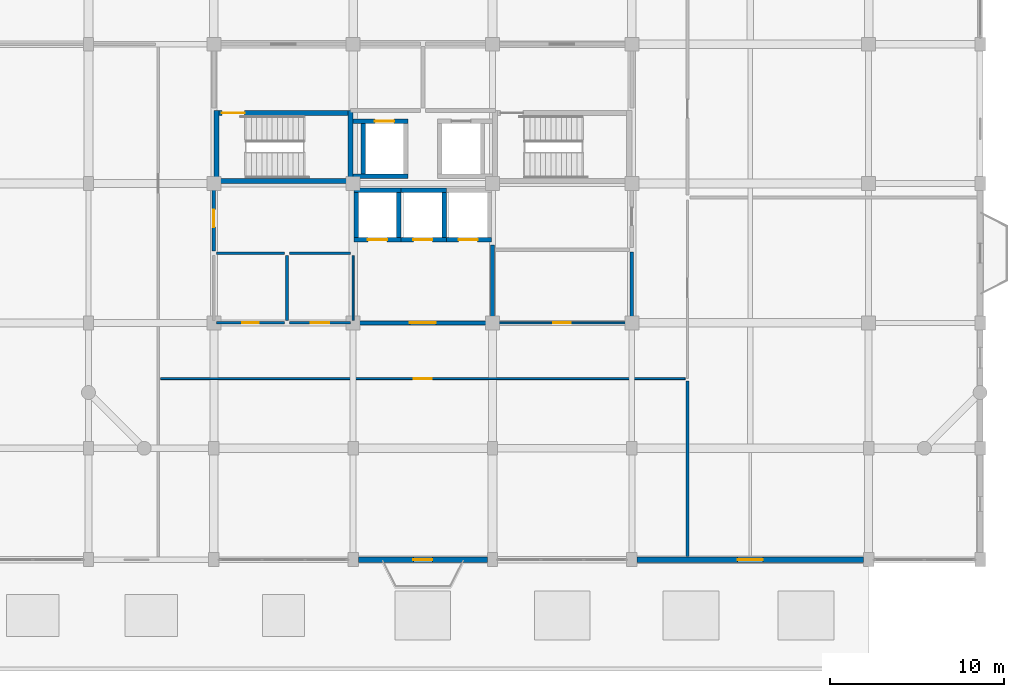
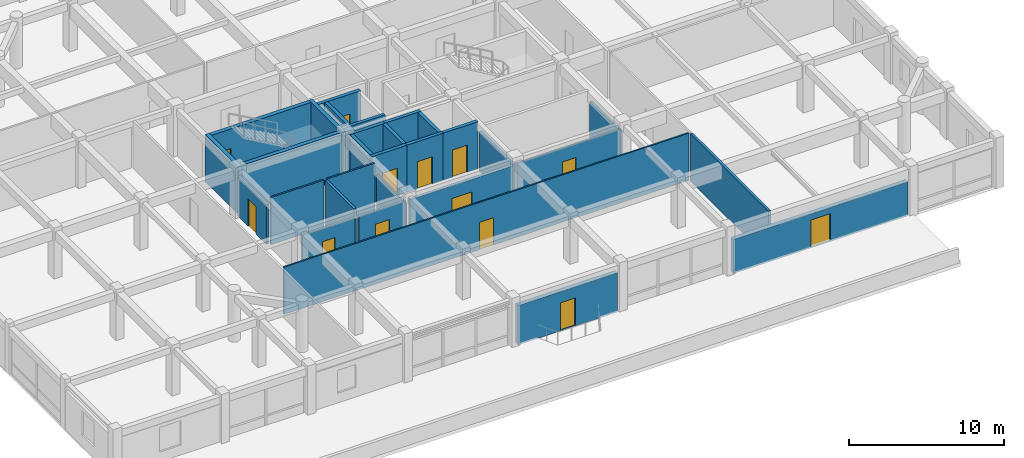
# One storey, part 16 of 20: 30 walls, 13 doors, 13 openings.
"""IFC4 building model written with IfcOpenShell, lengths in metres."""

from ifc_helpers import new_model, si_unit, direction, frame, frame_2d, origin, place, context, subcontext, project, spatial, rectangle, extrude, material, layer, layer_set, type_object, element, fill, save


model = new_model("IFC4")

# Units and contexts
model_context = context("Model", 3, precision=1e-05, world=origin(), true_north=direction((0.0, 1.0)))
body_context = subcontext(model_context, "Body", "Model", "MODEL_VIEW")
ifc_project = project(units=[si_unit("LENGTHUNIT", "METRE"), si_unit("AREAUNIT", "SQUARE_METRE"), si_unit("VOLUMEUNIT", "CUBIC_METRE"), si_unit("PLANEANGLEUNIT", "RADIAN"), si_unit("MASSUNIT", "GRAM", prefix="KILO")], contexts=[model_context])

# Site, building, storey
site_placement = place(None, origin())
site = spatial("IfcSite", under=ifc_project, at=site_placement, CompositionType="ELEMENT")
building_placement = place(site_placement, origin())
building = spatial("IfcBuilding", under=site, at=building_placement, Name="Vellmiral Cinema and Media Centre", CompositionType="ELEMENT")
storey_placement = place(building_placement, frame((0.0, 0.0, 23.800048828125)))
storey = spatial("IfcBuildingStorey", under=building, at=storey_placement, Name="L05", CompositionType="ELEMENT", Elevation=23.800048828125)

# Wall, opening, door
ifc_material_1 = material(Name="Concrete C40/50", Category="concrete")
ifc_layer_1 = layer(ifc_material_1, 0.2099609375, Name="Concrete C40/50")
ifc_layer_set_1 = layer_set([ifc_layer_1], Name="Concrete C40/50")
wall_type_1 = type_object("IfcWallType", Name="WL-COMP-210", PredefinedType="SOLIDWALL", material=ifc_layer_set_1)
wall_1_placement = place(storey_placement, frame((124.0, 83.340087890625, 0.0), z_axis=(0.0, 0.0, 1.0), x_axis=(0.0, 1.0, 0.0)))
wall_1 = element("IfcWall", 1, at=wall_1_placement, inside=storey, type_object=wall_type_1, Name="Electrical and Telecom Riser Room Wall W", PredefinedType="SOLIDWALL", context=body_context, shape_type="SweptSolid", body=[
    extrude(rectangle(XDim=3.719970703125, YDim=0.2099609375, at=frame_2d((1.85986328125, 0.0))), origin(), (0.0, 0.0, 1.0), 3.094970703125),
])
opening_1_placement = place(wall_1_placement, frame((1.360107421875, 0.0, 0.0)))
opening_1 = element("IfcOpeningElement", 2, at=opening_1_placement, cuts=wall_1, Name="Opening D-FD30B", PredefinedType="OPENING", context=body_context, shape_type="SweptSolid", body=[
    extrude(rectangle(XDim=1.0, YDim=2.14990234375, at=frame_2d((0.5, 1.074951171875))), frame((0.0, 0.116943359375, 0.0), z_axis=(0.0, -1.0, 0.0), x_axis=(1.0, 0.0, 0.0)), (0.0, 0.0, 1.0), 0.23388671875),
])
ifc_material_2 = material(Name="Steel Riser Fire Door", Category="steel")
door_type_1 = type_object("IfcDoorType", Name="DR-FD30-1000x2150", OperationType="NOTDEFINED", PredefinedType="DOOR", material=ifc_material_2)
door_1_placement = place(opening_1_placement, frame((1.0, 0.0, 0.0), z_axis=(0.0, 0.0, 1.0), x_axis=(-1.0, 0.0, 0.0)))
door_1 = element("IfcDoor", 3, at=door_1_placement, inside=storey, type_object=door_type_1, Name="Electrical and Telecom Riser Room Door", OperationType="SINGLE_SWING_LEFT", OverallHeight=2.14990234375, OverallWidth=1.0, PredefinedType="DOOR", context=body_context, shape_type="SweptSolid", body=[
    extrude(rectangle(XDim=1.0, YDim=2.14990234375, at=frame_2d((0.5, 1.074951171875))), frame((0.0, 0.02490234375, 0.0), z_axis=(0.0, -1.0, 0.0), x_axis=(1.0, 0.0, 0.0)), (0.0, 0.0, 1.0), 0.050048828125),
])
fill(opening_1, door_1)

# Walls
ifc_material_3 = material(Name="Concrete C40/50", Category="concrete")
ifc_layer_2 = layer(ifc_material_3, 0.300048828125, Name="Concrete C40/50")
ifc_layer_set_2 = layer_set([ifc_layer_2], Name="Concrete C40/50")
wall_type_2 = type_object("IfcWallType", Name="WL-CORE-300", PredefinedType="SHEAR", material=ifc_layer_set_2)
for number, where, z_axis, x_axis, name in (
    (4, (124.14990234375, 87.199951171875, 0.0), (0.0, 0.0, 1.0), (0.0, 1.0, 0.0), "Stair Core Wall ST-T1 L05-W"),
    (5, (131.85009765625, 87.199951171875, 0.0), (0.0, 0.0, 1.0), (0.0, 1.0, 0.0), "Stair Core Wall ST-T1 L05-E"),
):
    element("IfcWall", number, at=place(storey_placement, frame(where, z_axis=z_axis, x_axis=x_axis)), inside=storey, type_object=wall_type_2, Name=name, PredefinedType="SHEAR", context=body_context, shape_type="SweptSolid", body=[
        extrude(rectangle(XDim=4.199951171875, YDim=0.300048828125, at=frame_2d((2.10009765625, 0.0))), origin(), (0.0, 0.0, 1.0), 3.719970703125),
    ])
wall_2_placement = place(storey_placement, frame((124.300048828125, 87.35009765625, 0.0), z_axis=(0.0, 0.0, 1.0), x_axis=(1.0, 0.0, 0.0)))
element("IfcWall", 6, at=wall_2_placement, inside=storey, type_object=wall_type_2, Name="Stair Core Wall ST-T1 L05-S", PredefinedType="SHEAR", context=body_context, shape_type="SweptSolid", body=[
    extrude(rectangle(XDim=7.39990234375, YDim=0.300048828125, at=frame_2d((3.699951171875, 0.0))), origin(), (0.0, 0.0, 1.0), 3.719970703125),
])

# Wall, opening, door
wall_3_placement = place(storey_placement, frame((124.300048828125, 91.25, 0.0), z_axis=(0.0, 0.0, 1.0), x_axis=(1.0, 0.0, 0.0)))
wall_3 = element("IfcWall", 7, at=wall_3_placement, inside=storey, type_object=wall_type_2, Name="Stair Core Wall ST-T1 L05-N", PredefinedType="SHEAR", context=body_context, shape_type="SweptSolid", body=[
    extrude(rectangle(XDim=7.39990234375, YDim=0.300048828125, at=frame_2d((3.699951171875, 0.0))), origin(), (0.0, 0.0, 1.0), 3.719970703125),
])
opening_2_placement = place(wall_3_placement, frame((0.159912109375, 0.0, 0.0)))
opening_2 = element("IfcOpeningElement", 8, at=opening_2_placement, cuts=wall_3, Name="Opening D-FD30A", PredefinedType="OPENING", context=body_context, shape_type="SweptSolid", body=[
    extrude(rectangle(XDim=1.300048828125, YDim=2.179931640625, at=frame_2d((0.64990234375, 1.08984375))), frame((0.0, 0.162109375, 0.0), z_axis=(0.0, -1.0, 0.0), x_axis=(1.0, 0.0, 0.0)), (0.0, 0.0, 1.0), 0.323974609375),
])
ifc_material_4 = material(Name="Steel Stair Fire Door", Category="steel")
door_type_2 = type_object("IfcDoorType", Name="DR-FD30-1300x2180", OperationType="NOTDEFINED", PredefinedType="DOOR", material=ifc_material_4)
door_2_placement = place(opening_2_placement, frame((1.300048828125, 0.0, 0.0), z_axis=(0.0, 0.0, 1.0), x_axis=(-1.0, 0.0, 0.0)))
door_2 = element("IfcDoor", 9, at=door_2_placement, inside=storey, type_object=door_type_2, Name="Protected Stair Door ST-T1 L05", OperationType="SINGLE_SWING_RIGHT", OverallHeight=2.179931640625, OverallWidth=1.300048828125, PredefinedType="DOOR", context=body_context, shape_type="SweptSolid", body=[
    extrude(rectangle(XDim=1.300048828125, YDim=2.179931640625, at=frame_2d((0.64990234375, 1.08984375))), frame((0.0, 0.02490234375, 0.0), z_axis=(0.0, -1.0, 0.0), x_axis=(1.0, 0.0, 0.0)), (0.0, 0.0, 1.0), 0.050048828125),
])
fill(opening_2, door_2)

ifc_material_5 = material(Name="Polychrome Glazed Ceramic Cladding", Category="masonry")
ifc_layer_3 = layer(ifc_material_5, 0.320068359375, Name="Polychrome Glazed Ceramic Cladding")
ifc_layer_set_3 = layer_set([ifc_layer_3], Name="Polychrome Glazed Ceramic Cladding")
wall_type_3 = type_object("IfcWallType", Name="WL-EXT-BRICK-320", PredefinedType="SOLIDWALL", material=ifc_layer_set_3)
wall_4_placement = place(storey_placement, frame((132.300048828125, 65.60009765625, 0.0), z_axis=(0.0, 0.0, 1.0), x_axis=(1.0, 0.0, 0.0)))
wall_4 = element("IfcWall", 10, at=wall_4_placement, inside=storey, type_object=wall_type_3, Name="Exterior Facade Wall L05-005", PredefinedType="SOLIDWALL", context=body_context, shape_type="SweptSolid", body=[
    extrude(rectangle(XDim=7.39990234375, YDim=0.320068359375, at=frame_2d((3.699951171875, 0.0))), origin(), (0.0, 0.0, 1.0), 3.0849609375),
])
opening_3_placement = place(wall_4_placement, frame((3.14990234375, 0.0, 0.0)))
opening_3 = element("IfcOpeningElement", 11, at=opening_3_placement, cuts=wall_4, Name="Opening DE-06", PredefinedType="OPENING", context=body_context, shape_type="SweptSolid", body=[
    extrude(rectangle(XDim=1.10009765625, YDim=2.199951171875, at=frame_2d((0.550048828125, 1.10009765625))), frame((0.0, 0.171875, 0.0), z_axis=(0.0, -1.0, 0.0), x_axis=(1.0, 0.0, 0.0)), (0.0, 0.0, 1.0), 0.343994140625),
])
ifc_material_6 = material(Name="Thermally Broken Glazed Aluminium and Bronze Door", Category="aluminium")
door_type_3 = type_object("IfcDoorType", Name="DR-MIRA-1100x2200", OperationType="NOTDEFINED", PredefinedType="DOOR", material=ifc_material_6)
door_3_placement = place(opening_3_placement, frame((1.10009765625, 0.0, 0.0), z_axis=(0.0, 0.0, 1.0), x_axis=(-1.0, 0.0, 0.0)))
door_3 = element("IfcDoor", 12, at=door_3_placement, inside=storey, type_object=door_type_3, Name="Mirador Balcony Door L05-S", OperationType="SINGLE_SWING_LEFT", OverallHeight=2.199951171875, OverallWidth=1.10009765625, PredefinedType="DOOR", context=body_context, shape_type="SweptSolid", body=[
    extrude(rectangle(XDim=1.10009765625, YDim=2.199951171875, at=frame_2d((0.550048828125, 1.10009765625))), frame((0.0, 0.02490234375, 0.0), z_axis=(0.0, -1.0, 0.0), x_axis=(1.0, 0.0, 0.0)), (0.0, 0.0, 1.0), 0.050048828125),
])
fill(opening_3, door_3)

wall_5_placement = place(storey_placement, frame((148.300048828125, 65.60009765625, 0.0), z_axis=(0.0, 0.0, 1.0), x_axis=(1.0, 0.0, 0.0)))
wall_5 = element("IfcWall", 13, at=wall_5_placement, inside=storey, type_object=wall_type_3, Name="Exterior Facade Wall L05-007", PredefinedType="SOLIDWALL", context=body_context, shape_type="SweptSolid", body=[
    extrude(rectangle(XDim=13.0, YDim=0.320068359375, at=frame_2d((6.5, 0.0))), origin(), (0.0, 0.0, 1.0), 2.68505859375),
])
opening_4_placement = place(wall_5_placement, frame((5.77490234375, 0.0, 0.0)))
opening_4 = element("IfcOpeningElement", 14, at=opening_4_placement, cuts=wall_5, Name="Opening DE-05", PredefinedType="OPENING", context=body_context, shape_type="SweptSolid", body=[
    extrude(rectangle(XDim=1.449951171875, YDim=2.199951171875, at=frame_2d((0.72509765625, 1.10009765625))), frame((0.0, 0.171875, 0.0), z_axis=(0.0, -1.0, 0.0), x_axis=(1.0, 0.0, 0.0)), (0.0, 0.0, 1.0), 0.343994140625),
])
ifc_material_7 = material(Name="Thermally Broken Glazed Aluminium and Bronze Door", Category="aluminium")
door_type_4 = type_object("IfcDoorType", Name="DR-TER-1450x2200", OperationType="DOUBLE_DOOR_SINGLE_SWING", PredefinedType="DOOR", material=ifc_material_7)
door_4_placement = place(opening_4_placement, frame((1.449951171875, 0.0, 0.0), z_axis=(0.0, 0.0, 1.0), x_axis=(-1.0, 0.0, 0.0)))
door_4 = element("IfcDoor", 15, at=door_4_placement, inside=storey, type_object=door_type_4, Name="Setback Maintenance Roof Access Door L05", OperationType="DOUBLE_DOOR_SINGLE_SWING", OverallHeight=2.199951171875, OverallWidth=1.449951171875, PredefinedType="DOOR", context=body_context, shape_type="SweptSolid", body=[
    extrude(rectangle(XDim=1.449951171875, YDim=2.199951171875, at=frame_2d((0.72509765625, 1.10009765625))), frame((0.0, 0.02490234375, 0.0), z_axis=(0.0, -1.0, 0.0), x_axis=(1.0, 0.0, 0.0)), (0.0, 0.0, 1.0), 0.050048828125),
])
fill(opening_4, door_4)

ifc_material_8 = material(Name="Concrete C40/50", Category="concrete")
ifc_layer_4 = layer(ifc_material_8, 0.22998046875, Name="Concrete C40/50")
ifc_layer_set_4 = layer_set([ifc_layer_4], Name="Concrete C40/50")
wall_type_4 = type_object("IfcWallType", Name="WL-FFL-230", PredefinedType="SOLIDWALL", material=ifc_layer_set_4)
wall_6_placement = place(storey_placement, frame((132.139892578125, 79.199951171875, 0.0), z_axis=(0.0, 0.0, 1.0), x_axis=(1.0, 0.0, 0.0)))
wall_6 = element("IfcWall", 16, at=wall_6_placement, inside=storey, type_object=wall_type_4, Name="Tower Passenger Lift Lobby Wall S", PredefinedType="SOLIDWALL", context=body_context, shape_type="SweptSolid", body=[
    extrude(rectangle(XDim=7.72021484375, YDim=0.22998046875, at=frame_2d((3.860107421875, 0.0))), origin(), (0.0, 0.0, 1.0), 3.195068359375),
])
opening_5_placement = place(wall_6_placement, frame((3.110107421875, 0.0, 0.0)))
opening_5 = element("IfcOpeningElement", 17, at=opening_5_placement, cuts=wall_6, Name="Opening D-FD30", PredefinedType="OPENING", context=body_context, shape_type="SweptSolid", body=[
    extrude(rectangle(XDim=1.5, YDim=2.199951171875, at=frame_2d((0.75, 1.10009765625))), frame((0.0, 0.126953125, 0.0), z_axis=(0.0, -1.0, 0.0), x_axis=(1.0, 0.0, 0.0)), (0.0, 0.0, 1.0), 0.25390625),
])
ifc_material_9 = material(Name="Timber-Core Fire Door", Category="wood")
door_type_5 = type_object("IfcDoorType", Name="DR-FD30-1500x2200", OperationType="DOUBLE_DOOR_SINGLE_SWING", PredefinedType="DOOR", material=ifc_material_9)
door_5_placement = place(opening_5_placement, frame((1.5, 0.0, 0.0), z_axis=(0.0, 0.0, 1.0), x_axis=(-1.0, 0.0, 0.0)))
door_5 = element("IfcDoor", 18, at=door_5_placement, inside=storey, type_object=door_type_5, Name="Tower Passenger Lift Lobby Door", OperationType="DOUBLE_DOOR_SINGLE_SWING", OverallHeight=2.199951171875, OverallWidth=1.5, PredefinedType="DOOR", context=body_context, shape_type="SweptSolid", body=[
    extrude(rectangle(XDim=1.5, YDim=2.199951171875, at=frame_2d((0.75, 1.10009765625))), frame((0.0, 0.02490234375, 0.0), z_axis=(0.0, -1.0, 0.0), x_axis=(1.0, 0.0, 0.0)), (0.0, 0.0, 1.0), 0.050048828125),
])
fill(opening_5, door_5)

# Walls
wall_7_placement = place(storey_placement, frame((140.0, 79.340087890625, 0.0), z_axis=(0.0, 0.0, 1.0), x_axis=(0.0, 1.0, 0.0)))
element("IfcWall", 19, at=wall_7_placement, inside=storey, type_object=wall_type_4, Name="Tower Passenger Lift Lobby Wall E", PredefinedType="SOLIDWALL", context=body_context, shape_type="SweptSolid", body=[
    extrude(rectangle(XDim=4.31982421875, YDim=0.22998046875, at=frame_2d((2.159912109375, 0.0))), origin(), (0.0, 0.0, 1.0), 3.094970703125),
])
ifc_material_10 = material(Name="Gypsum Plasterboard")
ifc_layer_5 = layer(ifc_material_10, 0.02490234375, Name="Gypsum Plasterboard", Category="gypsum")
ifc_material_11 = material(Name="Mineral Wool Acoustic Insulation", Category="insulation")
ifc_layer_6 = layer(ifc_material_11, 0.06005859375, Name="Mineral Wool Acoustic Insulation", Category="insulation")
ifc_layer_7 = layer(ifc_material_10, 0.02490234375, Name="Gypsum Plasterboard", Category="gypsum")
ifc_layer_set_5 = layer_set([ifc_layer_5, ifc_layer_6, ifc_layer_7], Name="Gypsum Plasterboard")
wall_type_5 = type_object("IfcWallType", Name="WL-PART-110", PredefinedType="PARTITIONING", material=ifc_layer_set_5)
wall_8_placement = place(storey_placement, frame((132.0, 79.340087890625, 0.0), z_axis=(0.0, 0.0, 1.0), x_axis=(0.0, 1.0, 0.0)))
element("IfcWall", 20, at=wall_8_placement, inside=storey, type_object=wall_type_5, Name="Accessible WC Wall E", PredefinedType="PARTITIONING", context=body_context, shape_type="SweptSolid", body=[
    extrude(rectangle(XDim=3.719970703125, YDim=0.110107421875, at=frame_2d((1.85986328125, 0.0))), origin(), (0.0, 0.0, 1.0), 2.844970703125),
])

# Wall, opening, door
wall_9_placement = place(storey_placement, frame((140.139892578125, 79.199951171875, 0.0), z_axis=(0.0, 0.0, 1.0), x_axis=(1.0, 0.0, 0.0)))
wall_9 = element("IfcWall", 21, at=wall_9_placement, inside=storey, type_object=wall_type_5, Name="Cleaner and Media Supply Store Wall S", PredefinedType="PARTITIONING", context=body_context, shape_type="SweptSolid", body=[
    extrude(rectangle(XDim=7.72021484375, YDim=0.110107421875, at=frame_2d((3.860107421875, 0.0))), origin(), (0.0, 0.0, 1.0), 3.244873046875),
])
opening_6_placement = place(wall_9_placement, frame((3.360107421875, 0.0, 0.0)))
opening_6 = element("IfcOpeningElement", 22, at=opening_6_placement, cuts=wall_9, Name="Opening D-I08", PredefinedType="OPENING", context=body_context, shape_type="SweptSolid", body=[
    extrude(rectangle(XDim=1.0, YDim=2.14990234375, at=frame_2d((0.5, 1.074951171875))), frame((0.0, 0.06689453125, 0.0), z_axis=(0.0, -1.0, 0.0), x_axis=(1.0, 0.0, 0.0)), (0.0, 0.0, 1.0), 0.134033203125),
])
ifc_material_12 = material(Name="Laminated Timber Door", Category="wood")
door_type_6 = type_object("IfcDoorType", Name="DR-INT-1000x2150", OperationType="NOTDEFINED", PredefinedType="DOOR", material=ifc_material_12)
door_6_placement = place(opening_6_placement, origin())
door_6 = element("IfcDoor", 23, at=door_6_placement, inside=storey, type_object=door_type_6, Name="Cleaner and Media Supply Store Door", OperationType="SINGLE_SWING_RIGHT", OverallHeight=2.14990234375, OverallWidth=1.0, PredefinedType="DOOR", context=body_context, shape_type="SweptSolid", body=[
    extrude(rectangle(XDim=1.0, YDim=2.14990234375, at=frame_2d((0.5, 1.074951171875))), frame((0.0, 0.02490234375, 0.0), z_axis=(0.0, -1.0, 0.0), x_axis=(1.0, 0.0, 0.0)), (0.0, 0.0, 1.0), 0.050048828125),
])
fill(opening_6, door_6)

wall_10_placement = place(storey_placement, frame((120.93994140625, 76.0, 0.0), z_axis=(0.0, 0.0, 1.0), x_axis=(1.0, 0.0, 0.0)))
wall_10 = element("IfcWall", 24, at=wall_10_placement, inside=storey, type_object=wall_type_5, Name="Broadcast Newsroom Hub Wall N", PredefinedType="PARTITIONING", context=body_context, shape_type="SweptSolid", body=[
    extrude(rectangle(XDim=30.1201171875, YDim=0.110107421875, at=frame_2d((15.06005859375, 0.0))), origin(), (0.0, 0.0, 1.0), 3.719970703125),
])
opening_7_placement = place(wall_10_placement, frame((14.534912109375, 0.0, 0.0)))
opening_7 = element("IfcOpeningElement", 25, at=opening_7_placement, cuts=wall_10, Name="Opening D-I07", PredefinedType="OPENING", context=body_context, shape_type="SweptSolid", body=[
    extrude(rectangle(XDim=1.050048828125, YDim=2.14990234375, at=frame_2d((0.52490234375, 1.074951171875))), frame((0.0, 0.06689453125, 0.0), z_axis=(0.0, -1.0, 0.0), x_axis=(1.0, 0.0, 0.0)), (0.0, 0.0, 1.0), 0.134033203125),
])
ifc_material_13 = material(Name="Laminated Timber Door", Category="wood")
door_type_7 = type_object("IfcDoorType", Name="DR-INT-1050x2150", OperationType="NOTDEFINED", PredefinedType="DOOR", material=ifc_material_13)
door_7_placement = place(opening_7_placement, frame((1.050048828125, 0.0, 0.0), z_axis=(0.0, 0.0, 1.0), x_axis=(-1.0, 0.0, 0.0)))
door_7 = element("IfcDoor", 26, at=door_7_placement, inside=storey, type_object=door_type_7, Name="Broadcast Newsroom Hub Door", OperationType="SINGLE_SWING_RIGHT", OverallHeight=2.14990234375, OverallWidth=1.050048828125, PredefinedType="DOOR", context=body_context, shape_type="SweptSolid", body=[
    extrude(rectangle(XDim=1.050048828125, YDim=2.14990234375, at=frame_2d((0.52490234375, 1.074951171875))), frame((0.0, 0.02490234375, 0.0), z_axis=(0.0, -1.0, 0.0), x_axis=(1.0, 0.0, 0.0)), (0.0, 0.0, 1.0), 0.050048828125),
])
fill(opening_7, door_7)

# Walls
ifc_material_14 = material(Name="Gypsum Plasterboard")
ifc_layer_8 = layer(ifc_material_14, 0.02490234375, Name="Gypsum Plasterboard", Category="gypsum")
ifc_material_15 = material(Name="Mineral Wool Acoustic Insulation", Category="insulation")
ifc_layer_9 = layer(ifc_material_15, 0.080078125, Name="Mineral Wool Acoustic Insulation", Category="insulation")
ifc_layer_10 = layer(ifc_material_14, 0.02490234375, Name="Gypsum Plasterboard", Category="gypsum")
ifc_layer_set_6 = layer_set([ifc_layer_8, ifc_layer_9, ifc_layer_10], Name="Gypsum Plasterboard")
wall_type_6 = type_object("IfcWallType", Name="WL-PART-130", PredefinedType="PARTITIONING", material=ifc_layer_set_6)
wall_11_placement = place(storey_placement, frame((124.139892578125, 83.199951171875, 0.0), z_axis=(0.0, 0.0, 1.0), x_axis=(1.0, 0.0, 0.0)))
element("IfcWall", 27, at=wall_11_placement, inside=storey, type_object=wall_type_6, Name="Staff WC Wall N", PredefinedType="PARTITIONING", context=body_context, shape_type="SweptSolid", body=[
    extrude(rectangle(XDim=3.920166015625, YDim=0.1298828125, at=frame_2d((1.9599609375, 0.0))), origin(), (0.0, 0.0, 1.0), 3.719970703125),
])
wall_12_placement = place(storey_placement, frame((128.340087890625, 83.199951171875, 0.0), z_axis=(0.0, 0.0, 1.0), x_axis=(1.0, 0.0, 0.0)))
element("IfcWall", 28, at=wall_12_placement, inside=storey, type_object=wall_type_6, Name="Accessible WC Wall N", PredefinedType="PARTITIONING", context=body_context, shape_type="SweptSolid", body=[
    extrude(rectangle(XDim=3.52001953125, YDim=0.1298828125, at=frame_2d((1.760009765625, 0.0))), origin(), (0.0, 0.0, 1.0), 3.719970703125),
])

# Wall, opening, door
ifc_material_16 = material(Name="Gypsum Plasterboard")
ifc_layer_11 = layer(ifc_material_16, 0.02490234375, Name="Gypsum Plasterboard", Category="gypsum")
ifc_material_17 = material(Name="Mineral Wool Acoustic Insulation", Category="insulation")
ifc_layer_12 = layer(ifc_material_17, 0.10009765625, Name="Mineral Wool Acoustic Insulation", Category="insulation")
ifc_layer_13 = layer(ifc_material_16, 0.02490234375, Name="Gypsum Plasterboard", Category="gypsum")
ifc_layer_set_7 = layer_set([ifc_layer_11, ifc_layer_12, ifc_layer_13], Name="Gypsum Plasterboard")
wall_type_7 = type_object("IfcWallType", Name="WL-PART-150", PredefinedType="PARTITIONING", material=ifc_layer_set_7)
wall_13_placement = place(storey_placement, frame((124.139892578125, 79.199951171875, 0.0), z_axis=(0.0, 0.0, 1.0), x_axis=(1.0, 0.0, 0.0)))
wall_13 = element("IfcWall", 29, at=wall_13_placement, inside=storey, type_object=wall_type_7, Name="Staff WC Wall S", PredefinedType="PARTITIONING", context=body_context, shape_type="SweptSolid", body=[
    extrude(rectangle(XDim=3.920166015625, YDim=0.14990234375, at=frame_2d((1.9599609375, 0.0))), origin(), (0.0, 0.0, 1.0), 3.195068359375),
])
opening_8_placement = place(wall_13_placement, frame((1.485107421875, 0.0, 0.0)))
opening_8 = element("IfcOpeningElement", 30, at=opening_8_placement, cuts=wall_13, Name="Opening D-I09", PredefinedType="OPENING", context=body_context, shape_type="SweptSolid", body=[
    extrude(rectangle(XDim=0.949951171875, YDim=2.14990234375, at=frame_2d((0.47509765625, 1.074951171875))), frame((0.0, 0.0869140625, 0.0), z_axis=(0.0, -1.0, 0.0), x_axis=(1.0, 0.0, 0.0)), (0.0, 0.0, 1.0), 0.173828125),
])
ifc_material_18 = material(Name="Moisture-Resistant Timber Door", Category="wood")
door_type_8 = type_object("IfcDoorType", Name="DR-INT-950x2150", OperationType="NOTDEFINED", PredefinedType="DOOR", material=ifc_material_18)
door_8_placement = place(opening_8_placement, origin())
door_8 = element("IfcDoor", 31, at=door_8_placement, inside=storey, type_object=door_type_8, Name="Staff WC Door", OperationType="SINGLE_SWING_LEFT", OverallHeight=2.14990234375, OverallWidth=0.949951171875, PredefinedType="DOOR", context=body_context, shape_type="SweptSolid", body=[
    extrude(rectangle(XDim=0.949951171875, YDim=2.14990234375, at=frame_2d((0.47509765625, 1.074951171875))), frame((0.0, 0.02490234375, 0.0), z_axis=(0.0, -1.0, 0.0), x_axis=(1.0, 0.0, 0.0)), (0.0, 0.0, 1.0), 0.050048828125),
])
fill(opening_8, door_8)

wall_14_placement = place(storey_placement, frame((128.340087890625, 79.199951171875, 0.0), z_axis=(0.0, 0.0, 1.0), x_axis=(1.0, 0.0, 0.0)))
wall_14 = element("IfcWall", 32, at=wall_14_placement, inside=storey, type_object=wall_type_7, Name="Accessible WC Wall S", PredefinedType="PARTITIONING", context=body_context, shape_type="SweptSolid", body=[
    extrude(rectangle(XDim=3.52001953125, YDim=0.14990234375, at=frame_2d((1.760009765625, 0.0))), origin(), (0.0, 0.0, 1.0), 3.195068359375),
])
opening_9_placement = place(wall_14_placement, frame((1.235107421875, 0.0, 0.0)))
opening_9 = element("IfcOpeningElement", 33, at=opening_9_placement, cuts=wall_14, Name="Opening D-I10", PredefinedType="OPENING", context=body_context, shape_type="SweptSolid", body=[
    extrude(rectangle(XDim=1.050048828125, YDim=2.14990234375, at=frame_2d((0.52490234375, 1.074951171875))), frame((0.0, 0.0869140625, 0.0), z_axis=(0.0, -1.0, 0.0), x_axis=(1.0, 0.0, 0.0)), (0.0, 0.0, 1.0), 0.173828125),
])
ifc_material_19 = material(Name="Barrier-Free Timber Door", Category="wood")
door_type_9 = type_object("IfcDoorType", Name="DR-ACC-1050x2150", OperationType="NOTDEFINED", PredefinedType="DOOR", material=ifc_material_19)
door_9_placement = place(opening_9_placement, origin())
door_9 = element("IfcDoor", 34, at=door_9_placement, inside=storey, type_object=door_type_9, Name="Accessible WC Door", OperationType="SINGLE_SWING_RIGHT", OverallHeight=2.14990234375, OverallWidth=1.050048828125, PredefinedType="DOOR", context=body_context, shape_type="SweptSolid", body=[
    extrude(rectangle(XDim=1.050048828125, YDim=2.14990234375, at=frame_2d((0.52490234375, 1.074951171875))), frame((0.0, 0.02490234375, 0.0), z_axis=(0.0, -1.0, 0.0), x_axis=(1.0, 0.0, 0.0)), (0.0, 0.0, 1.0), 0.050048828125),
])
fill(opening_9, door_9)

# Walls
ifc_material_20 = material(Name="Gypsum Plasterboard")
ifc_layer_14 = layer(ifc_material_20, 0.02490234375, Name="Gypsum Plasterboard", Category="gypsum")
ifc_material_21 = material(Name="Mineral Wool Acoustic Insulation", Category="insulation")
ifc_layer_15 = layer(ifc_material_21, 0.139892578125, Name="Mineral Wool Acoustic Insulation", Category="insulation")
ifc_layer_16 = layer(ifc_material_20, 0.02490234375, Name="Gypsum Plasterboard", Category="gypsum")
ifc_layer_set_8 = layer_set([ifc_layer_14, ifc_layer_15, ifc_layer_16], Name="Gypsum Plasterboard")
wall_type_8 = type_object("IfcWallType", Name="WL-PART-190", PredefinedType="PARTITIONING", material=ifc_layer_set_8)
wall_15_placement = place(storey_placement, frame((128.199951171875, 79.340087890625, 0.0), z_axis=(0.0, 0.0, 1.0), x_axis=(0.0, 1.0, 0.0)))
element("IfcWall", 35, at=wall_15_placement, inside=storey, type_object=wall_type_8, Name="Staff WC Wall E", PredefinedType="PARTITIONING", context=body_context, shape_type="SweptSolid", body=[
    extrude(rectangle(XDim=3.719970703125, YDim=0.18994140625, at=frame_2d((1.85986328125, 0.0))), origin(), (0.0, 0.0, 1.0), 3.719970703125),
])
wall_16_placement = place(storey_placement, frame((148.0, 79.340087890625, 0.0), z_axis=(0.0, 0.0, 1.0), x_axis=(0.0, 1.0, 0.0)))
element("IfcWall", 36, at=wall_16_placement, inside=storey, type_object=wall_type_8, Name="Cleaner and Media Supply Store Wall E", PredefinedType="PARTITIONING", context=body_context, shape_type="SweptSolid", body=[
    extrude(rectangle(XDim=3.919921875, YDim=0.18994140625, at=frame_2d((1.9599609375, 0.0))), origin(), (0.0, 0.0, 1.0), 2.89501953125),
])
wall_17_placement = place(storey_placement, frame((151.199951171875, 65.77490234375, 0.0), z_axis=(0.0, 0.0, 1.0), x_axis=(0.0, 1.0, 0.0)))
element("IfcWall", 37, at=wall_17_placement, inside=storey, type_object=wall_type_8, Name="Broadcast Newsroom Hub Wall E", PredefinedType="PARTITIONING", context=body_context, shape_type="SweptSolid", body=[
    extrude(rectangle(XDim=10.085205078125, YDim=0.18994140625, at=frame_2d((5.04248046875, 0.0))), origin(), (0.0, 0.0, 1.0), 3.719970703125),
])
ifc_material_22 = material(Name="Concrete C40/50", Category="concrete")
ifc_layer_17 = layer(ifc_material_22, 0.25, Name="Concrete C40/50")
ifc_layer_set_9 = layer_set([ifc_layer_17], Name="Concrete C40/50")
wall_type_9 = type_object("IfcWallType", Name="WL-SHAFT-250", PredefinedType="SHEAR", material=ifc_layer_set_9)
wall_18_placement = place(storey_placement, frame((132.0, 87.625, 0.0), z_axis=(0.0, 0.0, 1.0), x_axis=(1.0, 0.0, 0.0)))
element("IfcWall", 38, at=wall_18_placement, inside=storey, type_object=wall_type_9, Name="Lift Shaft Wall LF-FF1 L05-S", PredefinedType="SHEAR", context=body_context, shape_type="SweptSolid", body=[
    extrude(rectangle(XDim=3.14990234375, YDim=0.25, at=frame_2d((1.574951171875, 0.0))), origin(), (0.0, 0.0, 1.0), 3.719970703125),
])

# Wall, opening, door
wall_19_placement = place(storey_placement, frame((132.0, 90.77490234375, 0.0), z_axis=(0.0, 0.0, 1.0), x_axis=(1.0, 0.0, 0.0)))
wall_19 = element("IfcWall", 39, at=wall_19_placement, inside=storey, type_object=wall_type_9, Name="Lift Shaft Wall LF-FF1 L05-N", PredefinedType="SHEAR", context=body_context, shape_type="SweptSolid", body=[
    extrude(rectangle(XDim=3.14990234375, YDim=0.25, at=frame_2d((1.574951171875, 0.0))), origin(), (0.0, 0.0, 1.0), 3.719970703125),
])
opening_10_placement = place(wall_19_placement, frame((1.25, 0.0, 0.0)))
opening_10 = element("IfcOpeningElement", 40, at=opening_10_placement, cuts=wall_19, Name="Opening LD-01", PredefinedType="OPENING", context=body_context, shape_type="SweptSolid", body=[
    extrude(rectangle(XDim=1.10009765625, YDim=2.14990234375, at=frame_2d((0.550048828125, 1.074951171875))), frame((0.0, 0.136962890625, 0.0), z_axis=(0.0, -1.0, 0.0), x_axis=(1.0, 0.0, 0.0)), (0.0, 0.0, 1.0), 0.27392578125),
])
ifc_material_23 = material(Name="Stainless Steel Lift Landing Door", Category="steel")
door_type_10 = type_object("IfcDoorType", Name="DR-LIFT-1100x2150", OperationType="SLIDING_TO_LEFT", PredefinedType="DOOR", material=ifc_material_23)
door_10_placement = place(opening_10_placement, origin())
door_10 = element("IfcDoor", 41, at=door_10_placement, inside=storey, type_object=door_type_10, Name="Lift Landing Door LF-FF1 L05", OperationType="SLIDING_TO_LEFT", OverallHeight=2.14990234375, OverallWidth=1.10009765625, PredefinedType="DOOR", context=body_context, shape_type="SweptSolid", body=[
    extrude(rectangle(XDim=1.10009765625, YDim=2.14990234375, at=frame_2d((0.550048828125, 1.074951171875))), frame((0.0, 0.02490234375, 0.0), z_axis=(0.0, -1.0, 0.0), x_axis=(1.0, 0.0, 0.0)), (0.0, 0.0, 1.0), 0.050048828125),
])
fill(opening_10, door_10)

# Wall
wall_20_placement = place(storey_placement, frame((132.574951171875, 87.75, 0.0), z_axis=(0.0, 0.0, 1.0), x_axis=(0.0, 1.0, 0.0)))
element("IfcWall", 42, at=wall_20_placement, inside=storey, type_object=wall_type_9, Name="Lift Shaft Wall LF-FF1 L05-W", PredefinedType="SHEAR", context=body_context, shape_type="SweptSolid", body=[
    extrude(rectangle(XDim=2.89990234375, YDim=0.25, at=frame_2d((1.449951171875, 0.0))), origin(), (0.0, 0.0, 1.0), 3.719970703125),
])

# Wall, opening, door
wall_21_placement = place(storey_placement, frame((132.050048828125, 83.97509765625, 0.0), z_axis=(0.0, 0.0, 1.0), x_axis=(1.0, 0.0, 0.0)))
wall_21 = element("IfcWall", 43, at=wall_21_placement, inside=storey, type_object=wall_type_9, Name="Lift Shaft Wall LF-P1 L05-S", PredefinedType="SHEAR", context=body_context, shape_type="SweptSolid", body=[
    extrude(rectangle(XDim=2.699951171875, YDim=0.25, at=frame_2d((1.35009765625, 0.0))), origin(), (0.0, 0.0, 1.0), 3.719970703125),
])
opening_11_placement = place(wall_21_placement, frame((0.800048828125, 0.0, 0.0)))
opening_11 = element("IfcOpeningElement", 44, at=opening_11_placement, cuts=wall_21, Name="Opening LD-01", PredefinedType="OPENING", context=body_context, shape_type="SweptSolid", body=[
    extrude(rectangle(XDim=1.10009765625, YDim=2.14990234375, at=frame_2d((0.550048828125, 1.074951171875))), frame((0.0, 0.136962890625, 0.0), z_axis=(0.0, -1.0, 0.0), x_axis=(1.0, 0.0, 0.0)), (0.0, 0.0, 1.0), 0.27392578125),
])
door_11_placement = place(opening_11_placement, origin())
door_11 = element("IfcDoor", 45, at=door_11_placement, inside=storey, type_object=door_type_10, Name="Lift Landing Door LF-P1 L05", OperationType="SLIDING_TO_LEFT", OverallHeight=2.14990234375, OverallWidth=1.10009765625, PredefinedType="DOOR", context=body_context, shape_type="SweptSolid", body=[
    extrude(rectangle(XDim=1.10009765625, YDim=2.14990234375, at=frame_2d((0.550048828125, 1.074951171875))), frame((0.0, 0.02490234375, 0.0), z_axis=(0.0, -1.0, 0.0), x_axis=(1.0, 0.0, 0.0)), (0.0, 0.0, 1.0), 0.050048828125),
])
fill(opening_11, door_11)

# Walls
wall_22_placement = place(storey_placement, frame((132.050048828125, 86.824951171875, 0.0), z_axis=(0.0, 0.0, 1.0), x_axis=(1.0, 0.0, 0.0)))
element("IfcWall", 46, at=wall_22_placement, inside=storey, type_object=wall_type_9, Name="Lift Shaft Wall LF-P1 L05-N", PredefinedType="SHEAR", context=body_context, shape_type="SweptSolid", body=[
    extrude(rectangle(XDim=2.699951171875, YDim=0.25, at=frame_2d((1.35009765625, 0.0))), origin(), (0.0, 0.0, 1.0), 3.719970703125),
])
for number, where, z_axis, x_axis, name in (
    (47, (132.175048828125, 84.10009765625, 0.0), (0.0, 0.0, 1.0), (0.0, 1.0, 0.0), "Lift Shaft Wall LF-P1 L05-W"),
    (48, (134.625, 84.10009765625, 0.0), (0.0, 0.0, 1.0), (0.0, 1.0, 0.0), "Lift Shaft Wall LF-P1 L05-E"),
):
    element("IfcWall", number, at=place(storey_placement, frame(where, z_axis=z_axis, x_axis=x_axis)), inside=storey, type_object=wall_type_9, Name=name, PredefinedType="SHEAR", context=body_context, shape_type="SweptSolid", body=[
        extrude(rectangle(XDim=2.599853515625, YDim=0.25, at=frame_2d((1.2998046875, 0.0))), origin(), (0.0, 0.0, 1.0), 3.719970703125),
    ])

# Wall, opening, door
wall_23_placement = place(storey_placement, frame((134.64990234375, 83.97509765625, 0.0), z_axis=(0.0, 0.0, 1.0), x_axis=(1.0, 0.0, 0.0)))
wall_23 = element("IfcWall", 49, at=wall_23_placement, inside=storey, type_object=wall_type_9, Name="Lift Shaft Wall LF-P2 L05-S", PredefinedType="SHEAR", context=body_context, shape_type="SweptSolid", body=[
    extrude(rectangle(XDim=2.7001953125, YDim=0.25, at=frame_2d((1.35009765625, 0.0))), origin(), (0.0, 0.0, 1.0), 3.719970703125),
])
opening_12_placement = place(wall_23_placement, frame((0.800048828125, 0.0, 0.0)))
opening_12 = element("IfcOpeningElement", 50, at=opening_12_placement, cuts=wall_23, Name="Opening LD-01", PredefinedType="OPENING", context=body_context, shape_type="SweptSolid", body=[
    extrude(rectangle(XDim=1.10009765625, YDim=2.14990234375, at=frame_2d((0.550048828125, 1.074951171875))), frame((0.0, 0.136962890625, 0.0), z_axis=(0.0, -1.0, 0.0), x_axis=(1.0, 0.0, 0.0)), (0.0, 0.0, 1.0), 0.27392578125),
])
door_12_placement = place(opening_12_placement, origin())
door_12 = element("IfcDoor", 51, at=door_12_placement, inside=storey, type_object=door_type_10, Name="Lift Landing Door LF-P2 L05", OperationType="SLIDING_TO_LEFT", OverallHeight=2.14990234375, OverallWidth=1.10009765625, PredefinedType="DOOR", context=body_context, shape_type="SweptSolid", body=[
    extrude(rectangle(XDim=1.10009765625, YDim=2.14990234375, at=frame_2d((0.550048828125, 1.074951171875))), frame((0.0, 0.02490234375, 0.0), z_axis=(0.0, -1.0, 0.0), x_axis=(1.0, 0.0, 0.0)), (0.0, 0.0, 1.0), 0.050048828125),
])
fill(opening_12, door_12)

# Walls
wall_24_placement = place(storey_placement, frame((134.64990234375, 86.824951171875, 0.0), z_axis=(0.0, 0.0, 1.0), x_axis=(1.0, 0.0, 0.0)))
element("IfcWall", 52, at=wall_24_placement, inside=storey, type_object=wall_type_9, Name="Lift Shaft Wall LF-P2 L05-N", PredefinedType="SHEAR", context=body_context, shape_type="SweptSolid", body=[
    extrude(rectangle(XDim=2.7001953125, YDim=0.25, at=frame_2d((1.35009765625, 0.0))), origin(), (0.0, 0.0, 1.0), 3.719970703125),
])
wall_25_placement = place(storey_placement, frame((137.22509765625, 84.10009765625, 0.0), z_axis=(0.0, 0.0, 1.0), x_axis=(0.0, 1.0, 0.0)))
element("IfcWall", 53, at=wall_25_placement, inside=storey, type_object=wall_type_9, Name="Lift Shaft Wall LF-P2 L05-E", PredefinedType="SHEAR", context=body_context, shape_type="SweptSolid", body=[
    extrude(rectangle(XDim=2.599853515625, YDim=0.25, at=frame_2d((1.2998046875, 0.0))), origin(), (0.0, 0.0, 1.0), 3.719970703125),
])

# Wall, opening, door
wall_26_placement = place(storey_placement, frame((137.25, 83.97509765625, 0.0), z_axis=(0.0, 0.0, 1.0), x_axis=(1.0, 0.0, 0.0)))
wall_26 = element("IfcWall", 54, at=wall_26_placement, inside=storey, type_object=wall_type_9, Name="Lift Shaft Wall LF-P3 L05-S", PredefinedType="SHEAR", context=body_context, shape_type="SweptSolid", body=[
    extrude(rectangle(XDim=2.699951171875, YDim=0.25, at=frame_2d((1.35009765625, 0.0))), origin(), (0.0, 0.0, 1.0), 3.719970703125),
])
opening_13_placement = place(wall_26_placement, frame((0.800048828125, 0.0, 0.0)))
opening_13 = element("IfcOpeningElement", 55, at=opening_13_placement, cuts=wall_26, Name="Opening LD-01", PredefinedType="OPENING", context=body_context, shape_type="SweptSolid", body=[
    extrude(rectangle(XDim=1.10009765625, YDim=2.14990234375, at=frame_2d((0.550048828125, 1.074951171875))), frame((0.0, 0.136962890625, 0.0), z_axis=(0.0, -1.0, 0.0), x_axis=(1.0, 0.0, 0.0)), (0.0, 0.0, 1.0), 0.27392578125),
])
door_13_placement = place(opening_13_placement, origin())
door_13 = element("IfcDoor", 56, at=door_13_placement, inside=storey, type_object=door_type_10, Name="Lift Landing Door LF-P3 L05", OperationType="SLIDING_TO_LEFT", OverallHeight=2.14990234375, OverallWidth=1.10009765625, PredefinedType="DOOR", context=body_context, shape_type="SweptSolid", body=[
    extrude(rectangle(XDim=1.10009765625, YDim=2.14990234375, at=frame_2d((0.550048828125, 1.074951171875))), frame((0.0, 0.02490234375, 0.0), z_axis=(0.0, -1.0, 0.0), x_axis=(1.0, 0.0, 0.0)), (0.0, 0.0, 1.0), 0.050048828125),
])
fill(opening_13, door_13)

save(model, "model.ifc")
